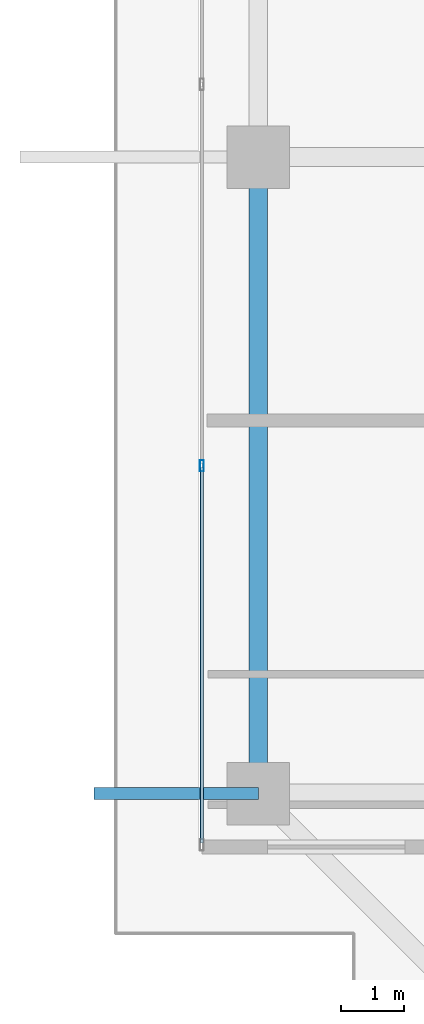
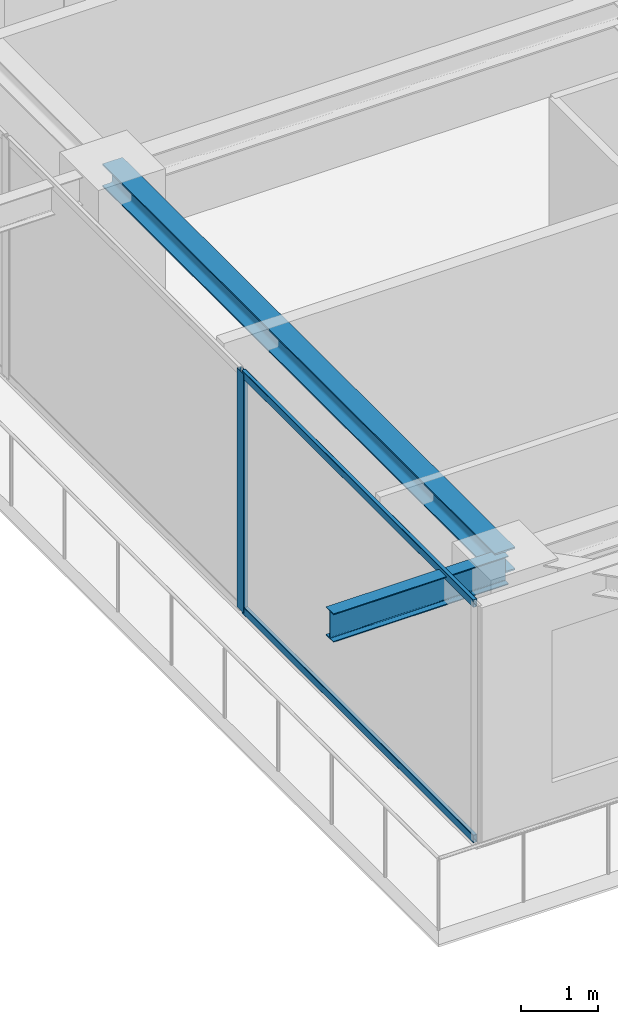
# One storey, part 4 of 40: 3 members, 2 beams, 1 element without a shape of its own.
"""IFC4 building model written with IfcOpenShell, lengths in metres."""

from ifc_helpers import new_model, si_unit, direction, frame, origin, origin_2d, place, context, subcontext, project, spatial, hollow_rectangle, i_section, extrude, source, transform, mapped, material, layer, layer_set, material_profile, profile_set, type_object, element, aggregate, save


model = new_model("IFC4")

# Units and contexts
model_context = context("Model", 3, precision=1e-05, world=origin(), true_north=direction((0.0, 1.0)))
body_context = subcontext(model_context, "Body", "Model", "MODEL_VIEW")
ifc_project = project(units=[si_unit("LENGTHUNIT", "METRE"), si_unit("AREAUNIT", "SQUARE_METRE"), si_unit("VOLUMEUNIT", "CUBIC_METRE"), si_unit("PLANEANGLEUNIT", "RADIAN"), si_unit("MASSUNIT", "GRAM", prefix="KILO")], contexts=[model_context])

# Site, building, storey
site_placement = place(None, origin())
site = spatial("IfcSite", under=ifc_project, at=site_placement, CompositionType="ELEMENT")
building_placement = place(site_placement, origin())
building = spatial("IfcBuilding", under=site, at=building_placement, Name="Serunith Strait Residences", CompositionType="ELEMENT")
storey_placement = place(building_placement, frame((0.0, 0.0, 313.699951171875)))
storey = spatial("IfcBuildingStorey", under=building, at=storey_placement, Name="L78", CompositionType="ELEMENT", Elevation=313.699951171875)

# Beams
ifc_material_1 = material(Name="Steel S355J2", Category="steel")
ifc_material_profile_1 = material_profile(ifc_material_1, i_section(OverallWidth=0.300048828125, OverallDepth=0.360107421875, WebThickness=0.012451171875, FlangeThickness=0.0224609375, FilletRadius=0.027099609375, at=origin_2d()), Name="HEB 360")
ifc_profile_set_1 = profile_set([ifc_material_profile_1], Name="Steel S355J2")
beam_type_1 = type_object("IfcBeamType", Name="BM-HEB360", PredefinedType="BEAM", material=ifc_profile_set_1)
shared_shape_1 = source(origin(), body_context, "Body", "SweptSolid", [
    extrude(i_section(OverallWidth=0.300048828125, OverallDepth=0.360107421875, WebThickness=0.012451171875, FlangeThickness=0.0224609375, FilletRadius=0.027099609375, at=origin_2d()), origin(), (0.0, 0.0, 1.0), 10.14990234375),
])
beam_1_placement = place(storey_placement, frame((10.10009765625, 21.0, 3.60693359375), z_axis=(0.0, -1.0, 0.0), x_axis=(1.0, 0.0, 0.0)))
element("IfcBeam", 1, at=beam_1_placement, inside=storey, type_object=beam_type_1, Name="L78 Perimeter Ring Beam 15", PredefinedType="BEAM", context=body_context, shape_type="MappedRepresentation", body=[
    mapped(shared_shape_1, transform((0.0, 0.0, 0.0), scale=1.0)),
])
ifc_material_profile_2 = material_profile(ifc_material_1, i_section(OverallWidth=0.18994140625, OverallDepth=0.449951171875, WebThickness=0.009521484375, FlangeThickness=0.0146484375, FilletRadius=0.02099609375, at=origin_2d()), Name="IPE 450")
ifc_profile_set_2 = profile_set([ifc_material_profile_2], Name="Steel S355J2")
beam_type_2 = type_object("IfcBeamType", Name="BM-IPE450", PredefinedType="JOIST", material=ifc_profile_set_2)
shared_shape_2 = source(origin(), body_context, "Body", "SweptSolid", [
    extrude(i_section(OverallWidth=0.18994140625, OverallDepth=0.449951171875, WebThickness=0.009521484375, FlangeThickness=0.0146484375, FilletRadius=0.02099609375, at=origin_2d()), origin(), (0.0, 0.0, 1.0), 2.6162109375),
])
beam_2_placement = place(storey_placement, frame((10.10009765625, 10.85009765625, 3.531982421875), z_axis=(-1.0, 0.0, 0.0), x_axis=(0.0, -1.0, 0.0)))
element("IfcBeam", 2, at=beam_2_placement, inside=storey, type_object=beam_type_2, Name="L79 Cantilevered Balcony Rib TC-W1", PredefinedType="JOIST", context=body_context, shape_type="MappedRepresentation", body=[
    mapped(shared_shape_2, transform((0.0, 0.0, 0.0), scale=1.0)),
])

# Curtain wall, members
ifc_material_2 = material(Name="Brushed Stainless-Silver Aluminium", Category="aluminium")
ifc_layer = layer(ifc_material_2, 0.199951171875, Name="Brushed Stainless-Silver Aluminium")
ifc_layer_set = layer_set([ifc_layer], Name="Brushed Stainless-Silver Aluminium")
curtain_wall_type = type_object("IfcCurtainWallType", Name="CW-SYS5", PredefinedType="NOTDEFINED", material=ifc_layer_set)
curtain_wall_placement = place(storey_placement, origin())
curtain_wall = element("IfcCurtainWall", 3, at=curtain_wall_placement, inside=storey, type_object=curtain_wall_type, Name="L78 W Unitised Fritted Curtain Wall", PredefinedType="NOTDEFINED")
ifc_material_profile_3 = material_profile(ifc_material_2, hollow_rectangle(XDim=0.06494140625, YDim=0.179931640625, WallThickness=0.00341796875, InnerFilletRadius=0.00537109375, OuterFilletRadius=0.0087890625, at=origin_2d()), Name="ALU 180x65x3.5")
ifc_profile_set_3 = profile_set([ifc_material_profile_3], Name="Brushed Stainless-Silver Aluminium")
member_type_1 = type_object("IfcMemberType", Name="CW-SYS5-MULL", PredefinedType="MULLION", material=ifc_profile_set_3)
shared_shape_3 = source(origin(), body_context, "Body", "SweptSolid", [
    extrude(hollow_rectangle(XDim=0.06494140625, YDim=0.179931640625, WallThickness=0.00341796875, InnerFilletRadius=0.00537109375, OuterFilletRadius=0.0087890625, at=origin_2d()), origin(), (0.0, 0.0, 1.0), 3.775146484375),
])
member_1_placement = place(storey_placement, frame((9.199951171875, 16.080078125, 0.0), z_axis=(0.0, 0.0, 1.0), x_axis=(1.0, 0.0, 0.0)))
member_1 = element("IfcMember", 4, at=member_1_placement, type_object=member_type_1, Name="CW-5 mullion 5", PredefinedType="MULLION", context=body_context, shape_type="MappedRepresentation", body=[
    mapped(shared_shape_3, transform((0.0, 0.0, 0.0), scale=1.0)),
])
ifc_material_profile_4 = material_profile(ifc_material_2, hollow_rectangle(XDim=0.06005859375, YDim=0.1201171875, WallThickness=0.00341796875, InnerFilletRadius=0.00537109375, OuterFilletRadius=0.0087890625, at=origin_2d()), Name="ALU 120x60x3.5")
ifc_profile_set_4 = profile_set([ifc_material_profile_4], Name="Brushed Stainless-Silver Aluminium")
member_type_2 = type_object("IfcMemberType", Name="CW-SYS5-TRAN", PredefinedType="USERDEFINED", material=ifc_profile_set_4)
shared_shape_4 = source(origin(), body_context, "Body", "SweptSolid", [
    extrude(hollow_rectangle(XDim=0.06005859375, YDim=0.1201171875, WallThickness=0.00341796875, InnerFilletRadius=0.00537109375, OuterFilletRadius=0.0087890625, at=origin_2d()), origin(), (0.0, 0.0, 1.0), 5.982666015625),
])
member_2_placement = place(storey_placement, frame((9.199951171875, 16.047607421875, 0.030029296875), z_axis=(0.0, -1.0, 0.0), x_axis=(1.0, 0.0, 0.0)))
member_2 = element("IfcMember", 5, at=member_2_placement, type_object=member_type_2, Name="CW-5 transom 5.1", ObjectType="TRANSOM", PredefinedType="USERDEFINED", context=body_context, shape_type="MappedRepresentation", body=[
    mapped(shared_shape_4, transform((0.0, 0.0, 0.0), scale=1.0)),
])
member_3_placement = place(storey_placement, frame((9.199951171875, 16.047607421875, 3.7451171875), z_axis=(0.0, -1.0, 0.0), x_axis=(1.0, 0.0, 0.0)))
member_3 = element("IfcMember", 6, at=member_3_placement, type_object=member_type_2, Name="CW-5 transom 5.2", ObjectType="TRANSOM", PredefinedType="USERDEFINED", context=body_context, shape_type="MappedRepresentation", body=[
    mapped(shared_shape_4, transform((0.0, 0.0, 0.0), scale=1.0)),
])
aggregate(curtain_wall, [member_1, member_2, member_3])

save(model, "model.ifc")
